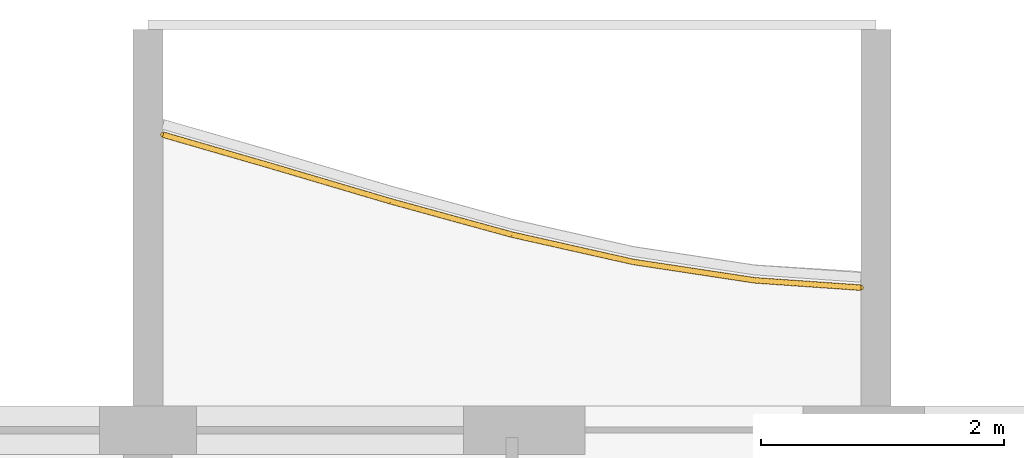
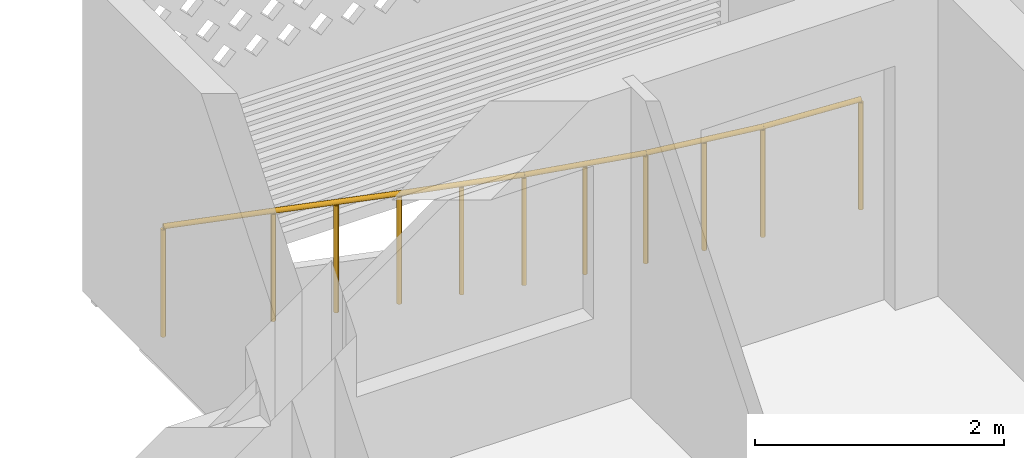
# One storey, part 28 of 40: 1 railing.
"""IFC4 building model written with IfcOpenShell, lengths in metres."""

from ifc_helpers import new_model, si_unit, direction, frame, origin, origin_2d, place, context, subcontext, project, spatial, circle, extrude, material, type_object, element, save


model = new_model("IFC4")

# Units and contexts
model_context = context("Model", 3, precision=1e-05, world=origin(), true_north=direction((0.0, 1.0)))
body_context = subcontext(model_context, "Body", "Model", "MODEL_VIEW")
ifc_project = project(units=[si_unit("LENGTHUNIT", "METRE"), si_unit("AREAUNIT", "SQUARE_METRE"), si_unit("VOLUMEUNIT", "CUBIC_METRE"), si_unit("PLANEANGLEUNIT", "RADIAN"), si_unit("MASSUNIT", "GRAM", prefix="KILO")], contexts=[model_context])

# Site, building, storey
site_placement = place(None, origin())
site = spatial("IfcSite", under=ifc_project, at=site_placement, CompositionType="ELEMENT")
building_placement = place(site_placement, origin())
building = spatial("IfcBuilding", under=site, at=building_placement, Name="Poui Terraces", CompositionType="ELEMENT")
storey_placement = place(building_placement, frame((0.0, 0.0, 39.89990234375)))
storey = spatial("IfcBuildingStorey", under=building, at=storey_placement, Name="L10", CompositionType="ELEMENT", Elevation=39.89990234375)

# Railing
ifc_material = material(Name="Painted steel fretwork", Category="steel")
railing_type = type_object("IfcRailingType", Name="BALCONY GUARD 1100", PredefinedType="GUARDRAIL", material=ifc_material)
railing_placement = place(storey_placement, frame((48.125, 47.234619140625, 0.0)))
element("IfcRailing", 1, at=railing_placement, inside=storey, type_object=railing_type, Name="BALCONY GUARD", PredefinedType="GUARDRAIL", context=body_context, shape_type="SweptSolid", body=[
    extrude(circle(Radius=0.02392578125, at=origin_2d()), frame((0.0, 0.0, 1.076171875), z_axis=(0.960669700127, -0.277693585193, 0.0), x_axis=(0.277693585193, 0.960669700127, 0.0)), (0.0, 0.0, 1.0), 0.910888671875),
    extrude(circle(Radius=0.02392578125, at=origin_2d()), frame((0.875, -0.2529296875, 1.076171875), z_axis=(0.958901964879, -0.283737593123, 0.0), x_axis=(0.283737593123, 0.958901964879, 0.0)), (0.0, 0.0, 1.0), 1.04296875),
    extrude(circle(Radius=0.02392578125, at=origin_2d()), frame((1.875, -0.548828125, 1.076171875), z_axis=(0.964289609145, -0.26485005134, 0.0), x_axis=(0.26485005134, 0.964289609145, 0.0)), (0.0, 0.0, 1.0), 1.037109375),
    extrude(circle(Radius=0.02392578125, at=origin_2d()), frame((2.875, -0.823486328125, 1.076171875), z_axis=(0.975640353268, -0.219376163418, 0.0), x_axis=(0.219376163418, 0.975640353268, 0.0)), (0.0, 0.0, 1.0), 1.02490234375),
    extrude(circle(Radius=0.02392578125, at=origin_2d()), frame((3.875, -1.04833984375, 1.076171875), z_axis=(0.988701415616, -0.149898334741, 0.0), x_axis=(0.149898334741, 0.988701415616, 0.0)), (0.0, 0.0, 1.0), 1.011474609375),
    extrude(circle(Radius=0.02392578125, at=origin_2d()), frame((4.875, -1.199951171875, 1.076171875), z_axis=(0.997614490352, -0.069031359823, 0.0), x_axis=(0.069031359823, 0.997614490352, 0.0)), (0.0, 0.0, 1.0), 0.877197265625),
    extrude(circle(Radius=0.02099609375, at=origin_2d()), origin(), (0.0, 0.0, 1.0), 1.052001953125),
    extrude(circle(Radius=0.02099609375, at=origin_2d()), frame((0.875, -0.2529296875, 0.0)), (0.0, 0.0, 1.0), 1.052001953125),
    extrude(circle(Radius=0.02099609375, at=origin_2d()), frame((1.375, -0.40087890625, 0.0)), (0.0, 0.0, 1.0), 1.052001953125),
    extrude(circle(Radius=0.02099609375, at=origin_2d()), frame((1.875, -0.548828125, 0.0)), (0.0, 0.0, 1.0), 1.052001953125),
    extrude(circle(Radius=0.02099609375, at=origin_2d()), frame((2.375, -0.68603515625, 0.0)), (0.0, 0.0, 1.0), 1.052001953125),
    extrude(circle(Radius=0.02099609375, at=origin_2d()), frame((2.875, -0.823486328125, 0.0)), (0.0, 0.0, 1.0), 1.052001953125),
    extrude(circle(Radius=0.02099609375, at=origin_2d()), frame((3.375, -0.93603515625, 0.0)), (0.0, 0.0, 1.0), 1.052001953125),
    extrude(circle(Radius=0.02099609375, at=origin_2d()), frame((3.875, -1.04833984375, 0.0)), (0.0, 0.0, 1.0), 1.052001953125),
    extrude(circle(Radius=0.02099609375, at=origin_2d()), frame((4.375, -1.1240234375, 0.0)), (0.0, 0.0, 1.0), 1.052001953125),
    extrude(circle(Radius=0.02099609375, at=origin_2d()), frame((4.875, -1.199951171875, 0.0)), (0.0, 0.0, 1.0), 1.052001953125),
    extrude(circle(Radius=0.02099609375, at=origin_2d()), frame((5.75, -1.260498046875, 0.0)), (0.0, 0.0, 1.0), 1.052001953125),
])

save(model, "model.ifc")
